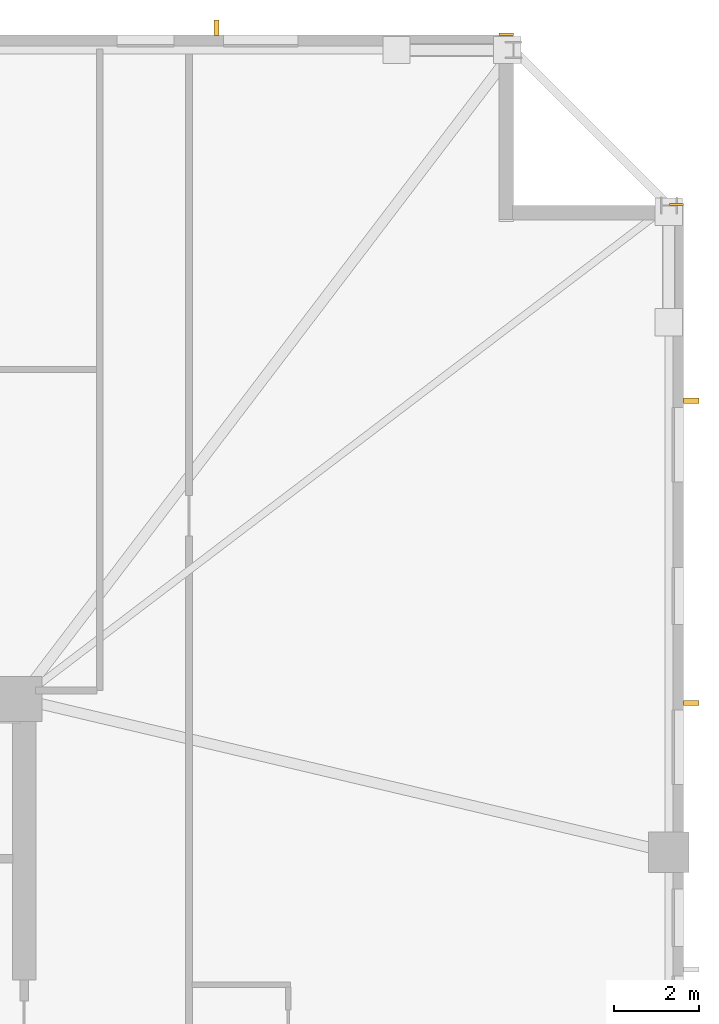
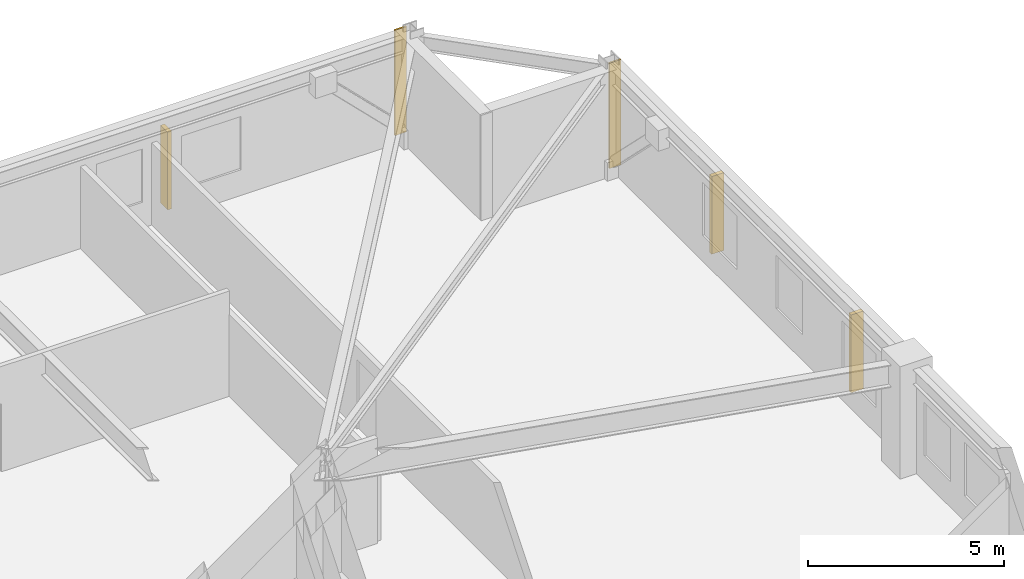
# One storey, part 10 of 10: 3 shading devices, 2 coverings.
"""IFC4 building model written with IfcOpenShell, lengths in metres."""

from ifc_helpers import new_model, si_unit, direction, frame, frame_2d, origin, origin_2d, place, context, subcontext, project, spatial, rectangle, extrude, material, layer, layer_set, type_object, element, save


model = new_model("IFC4")

# Units and contexts
model_context = context("Model", 3, precision=1e-05, world=origin(), true_north=direction((0.0, 1.0)))
body_context = subcontext(model_context, "Body", "Model", "MODEL_VIEW")
ifc_project = project(units=[si_unit("LENGTHUNIT", "METRE"), si_unit("AREAUNIT", "SQUARE_METRE"), si_unit("VOLUMEUNIT", "CUBIC_METRE"), si_unit("PLANEANGLEUNIT", "RADIAN"), si_unit("MASSUNIT", "GRAM", prefix="KILO")], contexts=[model_context])

# Site, building, storey
site_placement = place(None, origin())
site = spatial("IfcSite", under=ifc_project, at=site_placement, CompositionType="ELEMENT")
building_placement = place(site_placement, origin())
building = spatial("IfcBuilding", under=site, at=building_placement, Name="Cairnveth Concourse Tower", CompositionType="ELEMENT")
storey_placement = place(building_placement, frame((0.0, 0.0, 137.5)))
storey = spatial("IfcBuildingStorey", under=building, at=storey_placement, Name="L37", CompositionType="ELEMENT", Elevation=137.5)

# Coverings
ifc_material_1 = material(Name="Dressed Melbourne Bluestone Cladding", Category="masonry")
ifc_layer = layer(ifc_material_1, 0.050048828125)
ifc_layer_set = layer_set([ifc_layer], Name="Dressed Melbourne Bluestone Cladding")
covering_type = type_object("IfcCoveringType", Name="DRESSED BLUESTONE PLINTH CLADDING 50", PredefinedType="CLADDING", material=ifc_layer_set)
for number, where, z_axis, x_axis, name in (
    (1, (71.659912109375, 63.02001953125, 0.0), (0.0, 0.0, 1.0), (1.0, 0.0, 0.0), "Melbourne Bluestone Corner Quoin L37-535"),
    (2, (75.659912109375, 59.02001953125, 0.0), (0.0, 0.0, 1.0), (1.0, 0.0, 0.0), "Melbourne Bluestone Corner Quoin L37-537"),
):
    element("IfcCovering", number, at=place(storey_placement, frame(where, z_axis=z_axis, x_axis=x_axis)), inside=storey, type_object=covering_type, Name=name, PredefinedType="CLADDING", context=body_context, shape_type="SweptSolid", body=[
        extrude(rectangle(XDim=0.340087890625, YDim=0.050048828125, at=frame_2d((0.169921875, 0.0))), origin(), (0.0, 0.0, 1.0), 3.280029296875),
    ])

# Shading devices
ifc_material_2 = material(Name="Architectural Bronze Anodised Aluminium 6063-T6", Category="aluminium")
shading_device_type = type_object("IfcShadingDeviceType", Name="GOTHIC BRONZE VERTICAL LANCET FIN", PredefinedType="USERDEFINED", material=ifc_material_2)
for number, where, z_axis, x_axis, name in (
    (3, (65.020263671875, 63.175048828125, 0.030029296875), (0.0, 0.0, 1.0), (1.0, 0.0, 0.0), "Gothic Bronze Vertical Fin L37-3-9"),
    (4, (76.175048828125, 54.408203125, 0.030029296875), (0.0, 0.0, 1.0), (0.0, 1.0, 0.0), "Gothic Bronze Vertical Fin L37-6-1"),
    (5, (76.175048828125, 47.301025390625, 0.030029296875), (0.0, 0.0, 1.0), (0.0, 1.0, 0.0), "Gothic Bronze Vertical Fin L37-6-3"),
):
    element("IfcShadingDevice", number, at=place(storey_placement, frame(where, z_axis=z_axis, x_axis=x_axis)), inside=storey, type_object=shading_device_type, Name=name, ObjectType="VERTICAL FIN", PredefinedType="USERDEFINED", context=body_context, shape_type="SweptSolid", body=[
        extrude(rectangle(XDim=0.1201171875, YDim=0.360107421875, at=origin_2d()), origin(), (0.0, 0.0, 1.0), 2.419921875),
    ])

save(model, "model.ifc")
